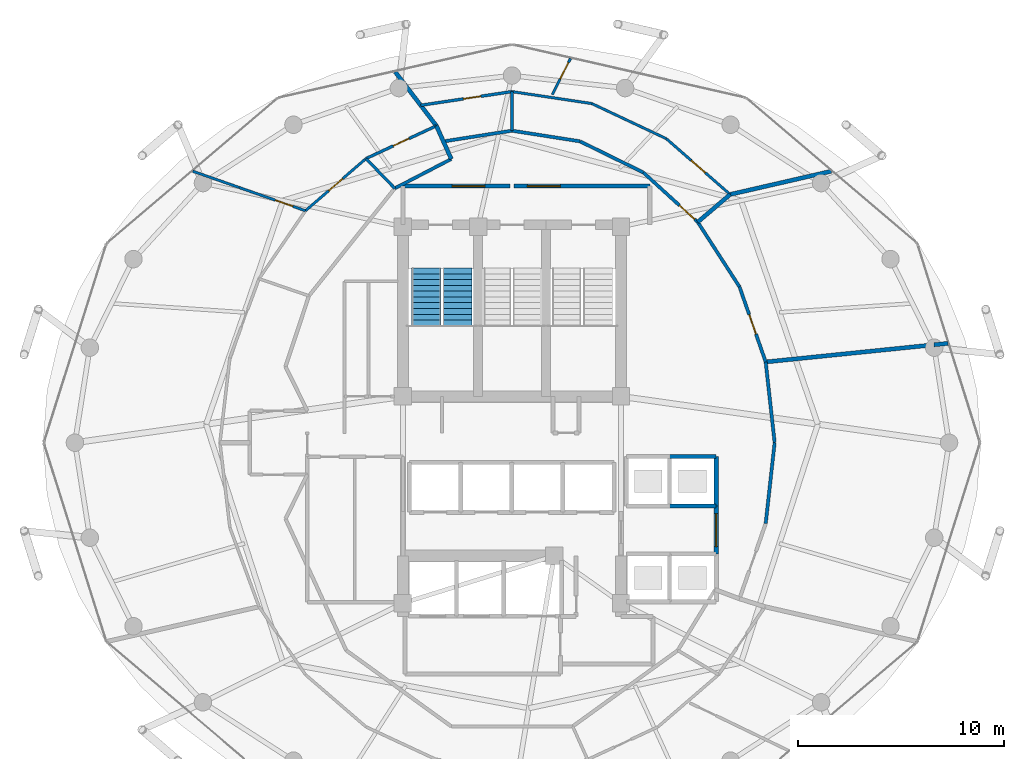
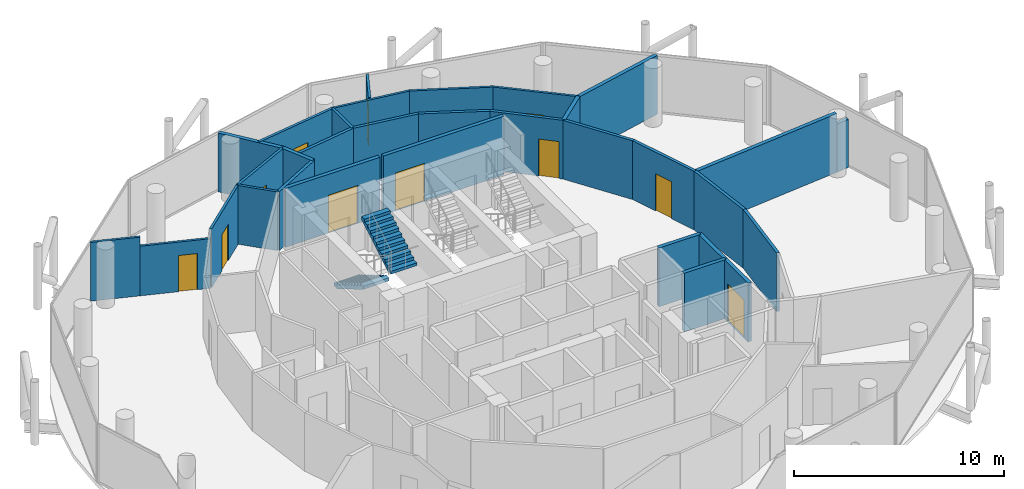
# One storey, part 25 of 27: 32 walls, 11 doors, 2 stair flights, 11 openings, 1 element without a shape of its own.
"""IFC4 building model written with IfcOpenShell, lengths in metres."""

from ifc_helpers import new_model, si_unit, direction, frame, frame_2d, origin, place, context, subcontext, project, spatial, polyline, rectangle, outline, extrude, material, layer, layer_set, type_object, element, fill, aggregate, save


model = new_model("IFC4")

# Units and contexts
model_context = context("Model", 3, precision=1e-05, world=origin(), true_north=direction((0.0, 1.0)))
body_context = subcontext(model_context, "Body", "Model", "MODEL_VIEW")
ifc_project = project(units=[si_unit("LENGTHUNIT", "METRE"), si_unit("AREAUNIT", "SQUARE_METRE"), si_unit("VOLUMEUNIT", "CUBIC_METRE"), si_unit("PLANEANGLEUNIT", "RADIAN"), si_unit("MASSUNIT", "GRAM", prefix="KILO")], contexts=[model_context])

# Site, building, storey
site_placement = place(None, origin())
site = spatial("IfcSite", under=ifc_project, at=site_placement, CompositionType="ELEMENT")
building_placement = place(site_placement, origin())
building = spatial("IfcBuilding", under=site, at=building_placement, Name="Nuhasar Tower", CompositionType="ELEMENT")
storey_placement = place(building_placement, frame((0.0, 0.0, 208.14990234375)))
storey = spatial("IfcBuildingStorey", under=building, at=storey_placement, Name="L50", CompositionType="ELEMENT", Elevation=208.14990234375)

# Walls
ifc_material_1 = material(Name="Gypsum Board", Category="gypsum")
ifc_layer_1 = layer(ifc_material_1, 0.159912109375)
ifc_layer_set_1 = layer_set([ifc_layer_1], Name="Gypsum Board")
wall_type_1 = type_object("IfcWallType", Name="WL-CORR-160", PredefinedType="PARTITIONING", material=ifc_layer_set_1)
for number, where, z_axis, x_axis, name in (
    (1, (51.3349609375, 22.8740234375, 0.0), (0.0, 0.0, 1.0), (0.110139823093, 0.993916102782, 0.0), "L50 Interior Partition CORR-46"),
    (2, (51.77001953125, 26.800048828125, 0.0), (0.0, 0.0, 1.0), (-0.110139823093, 0.993916102782, 0.0), "L50 Interior Partition CORR-00"),
):
    element("IfcWall", number, at=place(storey_placement, frame(where, z_axis=z_axis, x_axis=x_axis)), inside=storey, type_object=wall_type_1, Name=name, PredefinedType="PARTITIONING", context=body_context, shape_type="SweptSolid", body=[
        extrude(rectangle(XDim=3.949951171875, YDim=0.159912109375, at=frame_2d((1.97509765625, 0.0))), origin(), (0.0, 0.0, 1.0), 3.41015625),
    ])

# Wall, opening, door
wall_1_placement = place(storey_placement, frame((50.05908203125, 34.385009765625, 0.0), z_axis=(0.0, 0.0, 1.0), x_axis=(0.32925850992, -0.944239817867, 0.0)))
wall_1 = element("IfcWall", 3, at=wall_1_placement, inside=storey, type_object=wall_type_1, Name="L50 Interior Partition CORR-02", PredefinedType="PARTITIONING", context=body_context, shape_type="SweptSolid", body=[
    extrude(rectangle(XDim=3.875, YDim=0.159912109375, at=frame_2d((1.9375, 0.0))), origin(), (0.0, 0.0, 1.0), 3.41015625),
])
opening_1_placement = place(wall_1_placement, frame((1.43798828125, 0.0, 0.0)))
opening_1 = element("IfcOpeningElement", 4, at=opening_1_placement, cuts=wall_1, Name="Opening DU-02", PredefinedType="OPENING", context=body_context, shape_type="SweptSolid", body=[
    extrude(rectangle(XDim=1.0, YDim=2.14990234375, at=frame_2d((0.5, 1.074951171875))), frame((0.0, 0.08984375, 0.0), z_axis=(0.0, -1.0, 0.0), x_axis=(1.0, 0.0, 0.0)), (0.0, 0.0, 1.0), 0.179931640625),
])
ifc_material_2 = material(Name="Timber Oak", Category="wood")
door_type_1 = type_object("IfcDoorType", Name="DR-FLAT-FD60-1000", OperationType="NOTDEFINED", PredefinedType="DOOR", material=ifc_material_2)
door_1_placement = place(opening_1_placement, origin())
door_1 = element("IfcDoor", 5, at=door_1_placement, inside=storey, type_object=door_type_1, Name="L50 Sky Yoga Wellness Studio Entrance Door", OperationType="SINGLE_SWING_RIGHT", OverallHeight=2.14990234375, OverallWidth=1.0, PredefinedType="DOOR", context=body_context, shape_type="SweptSolid", body=[
    extrude(rectangle(XDim=1.0, YDim=2.14990234375, at=frame_2d((0.5, 1.074951171875))), frame((0.0, 0.02490234375, 0.0), z_axis=(0.0, -1.0, 0.0), x_axis=(1.0, 0.0, 0.0)), (0.0, 0.0, 1.0), 0.050048828125),
])
fill(opening_1, door_1)

# Wall
wall_2_placement = place(storey_placement, frame((50.05908203125, 34.385009765625, 0.0), z_axis=(0.0, 0.0, 1.0), x_axis=(-0.542485127432, 0.840065406094, 0.0)))
element("IfcWall", 6, at=wall_2_placement, inside=storey, type_object=wall_type_1, Name="L50 Interior Partition CORR-04", PredefinedType="PARTITIONING", context=body_context, shape_type="SweptSolid", body=[
    extrude(rectangle(XDim=3.740234375, YDim=0.159912109375, at=frame_2d((1.8701171875, 0.0))), origin(), (0.0, 0.0, 1.0), 3.41015625),
])

# Wall, opening, door
wall_3_placement = place(storey_placement, frame((45.385009765625, 39.93798828125, 0.0), z_axis=(0.0, 0.0, 1.0), x_axis=(0.739059723008, -0.673639908132, 0.0)))
wall_3 = element("IfcWall", 7, at=wall_3_placement, inside=storey, type_object=wall_type_1, Name="L50 Interior Partition CORR-06", PredefinedType="PARTITIONING", context=body_context, shape_type="SweptSolid", body=[
    extrude(rectangle(XDim=3.578857421875, YDim=0.159912109375, at=frame_2d((1.78955078125, 0.0))), origin(), (0.0, 0.0, 1.0), 3.41015625),
])
opening_2_placement = place(wall_3_placement, frame((2.37890625, 0.0, 0.0)))
opening_2 = element("IfcOpeningElement", 8, at=opening_2_placement, cuts=wall_3, Name="Opening DU-02", PredefinedType="OPENING", context=body_context, shape_type="SweptSolid", body=[
    extrude(rectangle(XDim=1.0, YDim=2.14990234375, at=frame_2d((0.5, 1.074951171875))), frame((0.0, 0.08984375, 0.0), z_axis=(0.0, -1.0, 0.0), x_axis=(1.0, 0.0, 0.0)), (0.0, 0.0, 1.0), 0.179931640625),
])
door_2_placement = place(opening_2_placement, origin())
door_2 = element("IfcDoor", 9, at=door_2_placement, inside=storey, type_object=door_type_1, Name="L50 Two-Bed Apartment 01 Entrance Door", OperationType="SINGLE_SWING_RIGHT", OverallHeight=2.14990234375, OverallWidth=1.0, PredefinedType="DOOR", context=body_context, shape_type="SweptSolid", body=[
    extrude(rectangle(XDim=1.0, YDim=2.14990234375, at=frame_2d((0.5, 1.074951171875))), frame((0.0, 0.02490234375, 0.0), z_axis=(0.0, -1.0, 0.0), x_axis=(1.0, 0.0, 0.0)), (0.0, 0.0, 1.0), 0.050048828125),
])
fill(opening_2, door_2)

# Walls
wall_4_placement = place(storey_placement, frame((45.385009765625, 39.93798828125, 0.0), z_axis=(0.0, 0.0, 1.0), x_axis=(-0.897338421719, 0.441343128311, 0.0)))
element("IfcWall", 10, at=wall_4_placement, inside=storey, type_object=wall_type_1, Name="L50 Interior Partition CORR-08", PredefinedType="PARTITIONING", context=body_context, shape_type="SweptSolid", body=[
    extrude(rectangle(XDim=3.432373046875, YDim=0.159912109375, at=frame_2d((1.71630859375, 0.0))), origin(), (0.0, 0.0, 1.0), 3.41015625),
])
wall_5_placement = place(storey_placement, frame((42.304931640625, 41.452880859375, 0.0), z_axis=(0.0, 0.0, 1.0), x_axis=(-0.987980356559, 0.154579478111, 0.0)))
element("IfcWall", 11, at=wall_5_placement, inside=storey, type_object=wall_type_1, Name="L50 Interior Partition CORR-10", PredefinedType="PARTITIONING", context=body_context, shape_type="SweptSolid", body=[
    extrude(rectangle(XDim=3.34521484375, YDim=0.159912109375, at=frame_2d((1.672607421875, 0.0))), origin(), (0.0, 0.0, 1.0), 3.41015625),
])
wall_6_placement = place(storey_placement, frame((39.0, 41.969970703125, 0.0), z_axis=(0.0, 0.0, 1.0), x_axis=(-0.987972011059, -0.154632808173, 0.0)))
element("IfcWall", 12, at=wall_6_placement, inside=storey, type_object=wall_type_1, Name="L50 Interior Partition CORR-12", PredefinedType="PARTITIONING", context=body_context, shape_type="SweptSolid", body=[
    extrude(rectangle(XDim=3.37548828125, YDim=0.159912109375, at=frame_2d((1.687744140625, 0.0))), origin(), (0.0, 0.0, 1.0), 3.41015625),
])
wall_7_placement = place(storey_placement, frame((36.049072265625, 40.593017578125, 0.0), z_axis=(0.0, 0.0, 1.0), x_axis=(-0.887674575788, -0.460471331898, 0.0)))
element("IfcWall", 13, at=wall_7_placement, inside=storey, type_object=wall_type_1, Name="L50 Interior Partition UWEST-CORE-N1-14", PredefinedType="PARTITIONING", context=body_context, shape_type="SweptSolid", body=[
    extrude(rectangle(XDim=3.096923828125, YDim=0.159912109375, at=frame_2d((1.54833984375, 0.0))), origin(), (0.0, 0.0, 1.0), 3.41015625),
])

# Wall, opening, door
ifc_material_3 = material(Name="Concrete C45/55", Category="concrete")
ifc_layer_2 = layer(ifc_material_3, 0.199951171875)
ifc_layer_set_2 = layer_set([ifc_layer_2], Name="Concrete C45/55")
wall_type_2 = type_object("IfcWallType", Name="WL-LOBBY-200", PredefinedType="SOLIDWALL", material=ifc_layer_set_2)
wall_8_placement = place(storey_placement, frame((38.89990234375, 39.280029296875, 0.0), z_axis=(0.0, 0.0, 1.0), x_axis=(-1.0, 0.0, 0.0)))
wall_8 = element("IfcWall", 14, at=wall_8_placement, inside=storey, type_object=wall_type_2, Name="L50 Interior Partition NSL-N1", PredefinedType="SOLIDWALL", context=body_context, shape_type="SweptSolid", body=[
    extrude(rectangle(XDim=5.199951171875, YDim=0.199951171875, at=frame_2d((2.60009765625, 0.0))), origin(), (0.0, 0.0, 1.0), 3.41015625),
])
opening_3_placement = place(wall_8_placement, frame((1.216064453125, 0.0, 0.0)))
opening_3 = element("IfcOpeningElement", 15, at=opening_3_placement, cuts=wall_8, Name="Opening DC-01", PredefinedType="OPENING", context=body_context, shape_type="SweptSolid", body=[
    extrude(rectangle(XDim=1.60009765625, YDim=2.199951171875, at=frame_2d((0.800048828125, 1.10009765625))), frame((0.0, 0.10986328125, 0.0), z_axis=(0.0, -1.0, 0.0), x_axis=(1.0, 0.0, 0.0)), (0.0, 0.0, 1.0), 0.219970703125),
])
ifc_material_4 = material(Name="Steel S355", Category="steel")
door_type_2 = type_object("IfcDoorType", Name="DR-CORR-FD60-1600", OperationType="DOUBLE_DOOR_SINGLE_SWING", PredefinedType="DOOR", material=ifc_material_4)
door_3_placement = place(opening_3_placement, origin())
door_3 = element("IfcDoor", 16, at=door_3_placement, inside=storey, type_object=door_type_2, Name="L50 North Stair Lobby West Door", OperationType="DOUBLE_DOOR_SINGLE_SWING", OverallHeight=2.199951171875, OverallWidth=1.60009765625, PredefinedType="DOOR", context=body_context, shape_type="SweptSolid", body=[
    extrude(rectangle(XDim=1.60009765625, YDim=2.199951171875, at=frame_2d((0.800048828125, 1.10009765625))), frame((0.0, 0.02490234375, 0.0), z_axis=(0.0, -1.0, 0.0), x_axis=(1.0, 0.0, 0.0)), (0.0, 0.0, 1.0), 0.050048828125),
])
fill(opening_3, door_3)

wall_9_placement = place(storey_placement, frame((45.699951171875, 39.280029296875, 0.0), z_axis=(0.0, 0.0, 1.0), x_axis=(-1.0, 0.0, 0.0)))
wall_9 = element("IfcWall", 17, at=wall_9_placement, inside=storey, type_object=wall_type_2, Name="L50 Interior Partition NSL-N2", PredefinedType="SOLIDWALL", context=body_context, shape_type="SweptSolid", body=[
    extrude(rectangle(XDim=6.599853515625, YDim=0.199951171875, at=frame_2d((3.2998046875, 0.0))), origin(), (0.0, 0.0, 1.0), 3.41015625),
])
opening_4_placement = place(wall_9_placement, frame((4.35009765625, 0.0, 0.0)))
opening_4 = element("IfcOpeningElement", 18, at=opening_4_placement, cuts=wall_9, Name="Opening DC-01", PredefinedType="OPENING", context=body_context, shape_type="SweptSolid", body=[
    extrude(rectangle(XDim=1.60009765625, YDim=2.199951171875, at=frame_2d((0.800048828125, 1.10009765625))), frame((0.0, 0.10986328125, 0.0), z_axis=(0.0, -1.0, 0.0), x_axis=(1.0, 0.0, 0.0)), (0.0, 0.0, 1.0), 0.219970703125),
])
door_4_placement = place(opening_4_placement, origin())
door_4 = element("IfcDoor", 19, at=door_4_placement, inside=storey, type_object=door_type_2, Name="L50 North Stair Lobby East Door", OperationType="DOUBLE_DOOR_SINGLE_SWING", OverallHeight=2.199951171875, OverallWidth=1.60009765625, PredefinedType="DOOR", context=body_context, shape_type="SweptSolid", body=[
    extrude(rectangle(XDim=1.60009765625, YDim=2.199951171875, at=frame_2d((0.800048828125, 1.10009765625))), frame((0.0, 0.02490234375, 0.0), z_axis=(0.0, -1.0, 0.0), x_axis=(1.0, 0.0, 0.0)), (0.0, 0.0, 1.0), 0.050048828125),
])
fill(opening_4, door_4)

wall_10_placement = place(storey_placement, frame((48.929931640625, 21.3798828125, 0.0), z_axis=(0.0, 0.0, 1.0), x_axis=(0.0, 1.0, 0.0)))
wall_10 = element("IfcWall", 20, at=wall_10_placement, inside=storey, type_object=wall_type_2, Name="L50 Interior Partition LLBM-E", PredefinedType="SOLIDWALL", context=body_context, shape_type="SweptSolid", body=[
    extrude(rectangle(XDim=2.340087890625, YDim=0.199951171875, at=frame_2d((1.169921875, 0.0))), origin(), (0.0, 0.0, 1.0), 3.41015625),
])
opening_5_placement = place(wall_10_placement, frame((0.3701171875, 0.0, 0.0)))
opening_5 = element("IfcOpeningElement", 21, at=opening_5_placement, cuts=wall_10, Name="Opening DC-01", PredefinedType="OPENING", context=body_context, shape_type="SweptSolid", body=[
    extrude(rectangle(XDim=1.60009765625, YDim=2.199951171875, at=frame_2d((0.800048828125, 1.10009765625))), frame((0.0, 0.10986328125, 0.0), z_axis=(0.0, -1.0, 0.0), x_axis=(1.0, 0.0, 0.0)), (0.0, 0.0, 1.0), 0.219970703125),
])
door_5_placement = place(opening_5_placement, origin())
door_5 = element("IfcDoor", 22, at=door_5_placement, inside=storey, type_object=door_type_2, Name="L50 Mid-Rise Lift Lobby East Entry", OperationType="DOUBLE_DOOR_SINGLE_SWING", OverallHeight=2.199951171875, OverallWidth=1.60009765625, PredefinedType="DOOR", context=body_context, shape_type="SweptSolid", body=[
    extrude(rectangle(XDim=1.60009765625, YDim=2.199951171875, at=frame_2d((0.800048828125, 1.10009765625))), frame((0.0, 0.02490234375, 0.0), z_axis=(0.0, -1.0, 0.0), x_axis=(1.0, 0.0, 0.0)), (0.0, 0.0, 1.0), 0.050048828125),
])
fill(opening_5, door_5)

ifc_layer_3 = layer(ifc_material_1, 0.125)
ifc_layer_set_3 = layer_set([ifc_layer_3], Name="Gypsum Board")
wall_type_3 = type_object("IfcWallType", Name="WL-PART-125", PredefinedType="PARTITIONING", material=ifc_layer_set_3)
wall_11_placement = place(storey_placement, frame((46.5, 41.5830078125, 0.0), z_axis=(0.0, 0.0, 1.0), x_axis=(0.753258291351, -0.657724825828, 0.0)))
wall_11 = element("IfcWall", 23, at=wall_11_placement, inside=storey, type_object=wall_type_3, Name="L50 Interior Partition UMID-03-A-06", PredefinedType="PARTITIONING", context=body_context, shape_type="SweptSolid", body=[
    extrude(rectangle(XDim=4.124755859375, YDim=0.125, at=frame_2d((2.0625, 0.0))), origin(), (0.0, 0.0, 1.0), 3.41015625),
])
opening_6_placement = place(wall_11_placement, frame((1.612060546875, 0.0, 0.0)))
opening_6 = element("IfcOpeningElement", 24, at=opening_6_placement, cuts=wall_11, Name="Opening DR-01", PredefinedType="OPENING", context=body_context, shape_type="SweptSolid", body=[
    extrude(rectangle(XDim=0.89990234375, YDim=2.10009765625, at=frame_2d((0.449951171875, 1.050048828125))), frame((0.0, 0.072509765625, 0.0), z_axis=(0.0, -1.0, 0.0), x_axis=(1.0, 0.0, 0.0)), (0.0, 0.0, 1.0), 0.14501953125),
])
door_type_3 = type_object("IfcDoorType", Name="DR-ROOM-900", OperationType="NOTDEFINED", PredefinedType="DOOR", material=ifc_material_2)
door_6_placement = place(opening_6_placement, origin())
door_6 = element("IfcDoor", 25, at=door_6_placement, inside=storey, type_object=door_type_3, Name="L50 U03 Living Door", OperationType="SINGLE_SWING_RIGHT", OverallHeight=2.10009765625, OverallWidth=0.89990234375, PredefinedType="DOOR", context=body_context, shape_type="SweptSolid", body=[
    extrude(rectangle(XDim=0.89990234375, YDim=2.10009765625, at=frame_2d((0.449951171875, 1.050048828125))), frame((0.0, 0.02490234375, 0.0), z_axis=(0.0, -1.0, 0.0), x_axis=(1.0, 0.0, 0.0)), (0.0, 0.0, 1.0), 0.050048828125),
])
fill(opening_6, door_6)

# Walls
wall_12_placement = place(storey_placement, frame((46.5, 41.5830078125, 0.0), z_axis=(0.0, 0.0, 1.0), x_axis=(-0.904575079673, 0.426314350256, 0.0)))
element("IfcWall", 26, at=wall_12_placement, inside=storey, type_object=wall_type_3, Name="L50 Interior Partition UMID-03-A-08", PredefinedType="PARTITIONING", context=body_context, shape_type="SweptSolid", body=[
    extrude(rectangle(XDim=3.99951171875, YDim=0.125, at=frame_2d((1.999755859375, 0.0))), origin(), (0.0, 0.0, 1.0), 3.41015625),
])
wall_13_placement = place(storey_placement, frame((42.882080078125, 43.2880859375, 0.0), z_axis=(0.0, 0.0, 1.0), x_axis=(-0.988946842781, 0.148270503314, 0.0)))
element("IfcWall", 27, at=wall_13_placement, inside=storey, type_object=wall_type_3, Name="L50 Interior Partition UMID-03-A-10", PredefinedType="PARTITIONING", context=body_context, shape_type="SweptSolid", body=[
    extrude(rectangle(XDim=3.925537109375, YDim=0.125, at=frame_2d((1.962890625, 0.0))), origin(), (0.0, 0.0, 1.0), 3.41015625),
])

# Wall, opening, door
wall_14_placement = place(storey_placement, frame((40.9580078125, 43.72412109375, 0.0), z_axis=(0.0, 0.0, 1.0), x_axis=(0.449698449796, 0.893180443276, 0.0)))
wall_14 = element("IfcWall", 28, at=wall_14_placement, inside=storey, type_object=wall_type_3, Name="L50 Interior Partition UOUT-03-B1", PredefinedType="PARTITIONING", context=body_context, shape_type="SweptSolid", body=[
    extrude(rectangle(XDim=1.963623046875, YDim=0.125, at=frame_2d((0.98193359375, 0.0))), origin(), (0.0, 0.0, 1.0), 3.41015625),
])
opening_7_placement = place(wall_14_placement, frame((0.85009765625, 0.0, 0.0)))
opening_7 = element("IfcOpeningElement", 29, at=opening_7_placement, cuts=wall_14, Name="Opening DR-01", PredefinedType="OPENING", context=body_context, shape_type="SweptSolid", body=[
    extrude(rectangle(XDim=0.89990234375, YDim=2.10009765625, at=frame_2d((0.449951171875, 1.050048828125))), frame((0.0, 0.072509765625, 0.0), z_axis=(0.0, -1.0, 0.0), x_axis=(1.0, 0.0, 0.0)), (0.0, 0.0, 1.0), 0.14501953125),
])
door_7_placement = place(opening_7_placement, origin())
door_7 = element("IfcDoor", 30, at=door_7_placement, inside=storey, type_object=door_type_3, Name="L50 U03 Bedroom Door", OperationType="SINGLE_SWING_RIGHT", OverallHeight=2.10009765625, OverallWidth=0.89990234375, PredefinedType="DOOR", context=body_context, shape_type="SweptSolid", body=[
    extrude(rectangle(XDim=0.89990234375, YDim=2.10009765625, at=frame_2d((0.449951171875, 1.050048828125))), frame((0.0, 0.02490234375, 0.0), z_axis=(0.0, -1.0, 0.0), x_axis=(1.0, 0.0, 0.0)), (0.0, 0.0, 1.0), 0.050048828125),
])
fill(opening_7, door_7)

wall_15_placement = place(storey_placement, frame((28.958984375, 38.077880859375, 0.0), z_axis=(0.0, 0.0, 1.0), x_axis=(0.757424973134, 0.652922208286, 0.0)))
wall_15 = element("IfcWall", 31, at=wall_15_placement, inside=storey, type_object=wall_type_3, Name="L50 Interior Partition USM-1-K-16", PredefinedType="PARTITIONING", context=body_context, shape_type="SweptSolid", body=[
    extrude(rectangle(XDim=3.8828125, YDim=0.125, at=frame_2d((1.94140625, 0.0))), origin(), (0.0, 0.0, 1.0), 3.41015625),
])
opening_8_placement = place(wall_15_placement, frame((1.490966796875, 0.0, 0.0)))
opening_8 = element("IfcOpeningElement", 32, at=opening_8_placement, cuts=wall_15, Name="Opening DR-01", PredefinedType="OPENING", context=body_context, shape_type="SweptSolid", body=[
    extrude(rectangle(XDim=0.89990234375, YDim=2.10009765625, at=frame_2d((0.449951171875, 1.050048828125))), frame((0.0, 0.072509765625, 0.0), z_axis=(0.0, -1.0, 0.0), x_axis=(1.0, 0.0, 0.0)), (0.0, 0.0, 1.0), 0.14501953125),
])
door_8_placement = place(opening_8_placement, origin())
door_8 = element("IfcDoor", 33, at=door_8_placement, inside=storey, type_object=door_type_3, Name="L50 North-West Sky Home Kitchen Door", OperationType="SINGLE_SWING_RIGHT", OverallHeight=2.10009765625, OverallWidth=0.89990234375, PredefinedType="DOOR", context=body_context, shape_type="SweptSolid", body=[
    extrude(rectangle(XDim=0.89990234375, YDim=2.10009765625, at=frame_2d((0.449951171875, 1.050048828125))), frame((0.0, 0.02490234375, 0.0), z_axis=(0.0, -1.0, 0.0), x_axis=(1.0, 0.0, 0.0)), (0.0, 0.0, 1.0), 0.050048828125),
])
fill(opening_8, door_8)

wall_16_placement = place(storey_placement, frame((28.958984375, 38.077880859375, 0.0), z_axis=(0.0, 0.0, 1.0), x_axis=(-0.943735775688, 0.33070044706, 0.0)))
wall_16 = element("IfcWall", 34, at=wall_16_placement, inside=storey, type_object=wall_type_3, Name="L50 Interior Partition USO-1-BD", PredefinedType="PARTITIONING", context=body_context, shape_type="SweptSolid", body=[
    extrude(rectangle(XDim=3.41748046875, YDim=0.125, at=frame_2d((1.708740234375, 0.0))), origin(), (0.0, 0.0, 1.0), 2.880126953125),
])
opening_9_placement = place(wall_16_placement, frame((0.64990234375, 0.0, 0.0)))
opening_9 = element("IfcOpeningElement", 35, at=opening_9_placement, cuts=wall_16, Name="Opening DR-01", PredefinedType="OPENING", context=body_context, shape_type="SweptSolid", body=[
    extrude(rectangle(XDim=0.89990234375, YDim=2.10009765625, at=frame_2d((0.449951171875, 1.050048828125))), frame((0.0, 0.072509765625, 0.0), z_axis=(0.0, -1.0, 0.0), x_axis=(1.0, 0.0, 0.0)), (0.0, 0.0, 1.0), 0.14501953125),
])
door_9_placement = place(opening_9_placement, origin())
door_9 = element("IfcDoor", 36, at=door_9_placement, inside=storey, type_object=door_type_3, Name="L50 North-West Sky Home Master Bedroom Door", OperationType="SINGLE_SWING_LEFT", OverallHeight=2.10009765625, OverallWidth=0.89990234375, PredefinedType="DOOR", context=body_context, shape_type="SweptSolid", body=[
    extrude(rectangle(XDim=0.89990234375, YDim=2.10009765625, at=frame_2d((0.449951171875, 1.050048828125))), frame((0.0, 0.02490234375, 0.0), z_axis=(0.0, -1.0, 0.0), x_axis=(1.0, 0.0, 0.0)), (0.0, 0.0, 1.0), 0.050048828125),
])
fill(opening_9, door_9)

# Walls
wall_17_placement = place(storey_placement, frame((25.73388671875, 39.2080078125, 0.0), z_axis=(0.0, 0.0, 1.0), x_axis=(-0.943622379066, 0.331023874857, 0.0)))
element("IfcWall", 37, at=wall_17_placement, inside=storey, type_object=wall_type_3, Name="L50 Interior Partition USO-1-BD", PredefinedType="PARTITIONING", context=body_context, shape_type="SweptSolid", body=[
    extrude(rectangle(XDim=2.3896484375, YDim=0.125, at=frame_2d((1.19482421875, 0.0))), origin(), (0.0, 0.0, 1.0), 3.41015625),
])
ifc_layer_4 = layer(ifc_material_3, 0.199951171875)
ifc_layer_set_4 = layer_set([ifc_layer_4], Name="Concrete C45/55")
wall_type_4 = type_object("IfcWallType", Name="WL-SHAFT-200", PredefinedType="SOLIDWALL", material=ifc_layer_set_4)
for number, where, z_axis, x_axis, name in (
    (38, (46.6201171875, 23.719970703125, 0.0), (0.0, 0.0, 1.0), (1.0, 0.0, 0.0), "L50 Interior Partition SHF-PL-M02-S"),
    (39, (46.6201171875, 26.1298828125, 0.0), (0.0, 0.0, 1.0), (1.0, 0.0, 0.0), "L50 Interior Partition SHF-PL-M02-N"),
):
    element("IfcWall", number, at=place(storey_placement, frame(where, z_axis=z_axis, x_axis=x_axis)), inside=storey, type_object=wall_type_4, Name=name, PredefinedType="SOLIDWALL", context=body_context, shape_type="SweptSolid", body=[
        extrude(rectangle(XDim=2.309814453125, YDim=0.199951171875, at=frame_2d((1.15478515625, 0.0))), origin(), (0.0, 0.0, 1.0), 3.41015625),
    ])
wall_18_placement = place(storey_placement, frame((48.929931640625, 23.719970703125, 0.0), z_axis=(0.0, 0.0, 1.0), x_axis=(0.0, 1.0, 0.0)))
element("IfcWall", 40, at=wall_18_placement, inside=storey, type_object=wall_type_4, Name="L50 Interior Partition SHF-PL-M02-E", PredefinedType="SOLIDWALL", context=body_context, shape_type="SweptSolid", body=[
    extrude(rectangle(XDim=2.409912109375, YDim=0.199951171875, at=frame_2d((1.205078125, 0.0))), origin(), (0.0, 0.0, 1.0), 3.41015625),
])
ifc_material_5 = material(Name="Concrete C40/50 precast", Category="concrete")
ifc_layer_5 = layer(ifc_material_5, 0.199951171875)
ifc_layer_set_5 = layer_set([ifc_layer_5], Name="Concrete C40/50 precast")
wall_type_5 = type_object("IfcWallType", Name="WL-UNIT-200", PredefinedType="PARTITIONING", material=ifc_layer_set_5)
wall_19_placement = place(storey_placement, frame((36.049072265625, 40.593017578125, 0.0), z_axis=(0.0, 0.0, 1.0), x_axis=(-0.409337233456, 0.912383159263, 0.0)))
element("IfcWall", 41, at=wall_19_placement, inside=storey, type_object=wall_type_5, Name="L50 Interior Partition URAD-14-NW-S1", PredefinedType="PARTITIONING", context=body_context, shape_type="SweptSolid", body=[
    extrude(rectangle(XDim=1.76904296875, YDim=0.199951171875, at=frame_2d((0.884521484375, 0.0))), origin(), (0.0, 0.0, 1.0), 3.41015625),
])
wall_20_placement = place(storey_placement, frame((35.324951171875, 42.20703125, 0.0), z_axis=(0.0, 0.0, 1.0), x_axis=(-0.607307427022, 0.794466921328, 0.0)))
element("IfcWall", 42, at=wall_20_placement, inside=storey, type_object=wall_type_5, Name="L50 Interior Partition URAD-14-NW-S2", PredefinedType="PARTITIONING", context=body_context, shape_type="SweptSolid", body=[
    extrude(rectangle(XDim=3.302978515625, YDim=0.199951171875, at=frame_2d((1.6513671875, 0.0))), origin(), (0.0, 0.0, 1.0), 3.41015625),
])
wall_21_placement = place(storey_placement, frame((51.3349609375, 30.72607421875, 0.0), z_axis=(0.0, 0.0, 1.0), x_axis=(0.994837199953, 0.101483720809, 0.0)))
element("IfcWall", 43, at=wall_21_placement, inside=storey, type_object=wall_type_5, Name="L50 Interior Partition URAD-02", PredefinedType="PARTITIONING", context=body_context, shape_type="SweptSolid", body=[
    extrude(rectangle(XDim=8.2275390625, YDim=0.199951171875, at=frame_2d((4.11376953125, 0.0))), origin(), (0.0, 0.0, 1.0), 3.41015625),
])
wall_22_placement = place(storey_placement, frame((59.52001953125, 31.56103515625, 0.0), z_axis=(0.0, 0.0, 1.0), x_axis=(0.994776809631, 0.102073987974, 0.0)))
element("IfcWall", 44, at=wall_22_placement, inside=storey, type_object=wall_type_5, Name="L50 Interior Partition URAD-02", PredefinedType="PARTITIONING", context=body_context, shape_type="SweptSolid", body=[
    extrude(rectangle(XDim=0.6865234375, YDim=0.199951171875, at=frame_2d((0.34326171875, 0.0))), origin(), (0.0, 0.0, 1.0), 2.795166015625),
])
wall_23_placement = place(storey_placement, frame((48.030029296875, 37.527099609375, 0.0), z_axis=(0.0, 0.0, 1.0), x_axis=(0.761307875953, 0.64839055978, 0.0)))
element("IfcWall", 45, at=wall_23_placement, inside=storey, type_object=wall_type_5, Name="L50 Interior Partition URAD-06-S1", PredefinedType="PARTITIONING", context=body_context, shape_type="SweptSolid", body=[
    extrude(rectangle(XDim=2.0712890625, YDim=0.199951171875, at=frame_2d((1.03564453125, 0.0))), origin(), (0.0, 0.0, 1.0), 3.41015625),
])
wall_24_placement = place(storey_placement, frame((49.60693359375, 38.8701171875, 0.0), z_axis=(0.0, 0.0, 1.0), x_axis=(0.974622401259, 0.223855254492, 0.0)))
element("IfcWall", 46, at=wall_24_placement, inside=storey, type_object=wall_type_5, Name="L50 Interior Partition URAD-06-S2", PredefinedType="PARTITIONING", context=body_context, shape_type="SweptSolid", body=[
    extrude(rectangle(XDim=5.04296875, YDim=0.199951171875, at=frame_2d((2.521484375, 0.0))), origin(), (0.0, 0.0, 1.0), 3.41015625),
])

# Wall, opening, door
ifc_layer_6 = layer(ifc_material_5, 0.139892578125)
ifc_layer_set_6 = layer_set([ifc_layer_6], Name="Concrete C40/50 precast")
wall_type_6 = type_object("IfcWallType", Name="WL-WET-140", PredefinedType="PARTITIONING", material=ifc_layer_set_6)
wall_25_placement = place(storey_placement, frame((34.56201171875, 43.205078125, 0.0), z_axis=(0.0, 0.0, 1.0), x_axis=(0.98895789125, 0.148196792593, 0.0)))
wall_25 = element("IfcWall", 47, at=wall_25_placement, inside=storey, type_object=wall_type_6, Name="L50 Interior Partition UMID-03-B-12", PredefinedType="PARTITIONING", context=body_context, shape_type="SweptSolid", body=[
    extrude(rectangle(XDim=4.487548828125, YDim=0.139892578125, at=frame_2d((2.24365234375, 0.0))), origin(), (0.0, 0.0, 1.0), 3.41015625),
])
opening_10_placement = place(wall_25_placement, frame((2.10009765625, 0.0, 0.0)))
opening_10 = element("IfcOpeningElement", 48, at=opening_10_placement, cuts=wall_25, Name="Opening DB-01", PredefinedType="OPENING", context=body_context, shape_type="SweptSolid", body=[
    extrude(rectangle(XDim=0.85009765625, YDim=2.10009765625, at=frame_2d((0.425048828125, 1.050048828125))), frame((0.0, 0.080078125, 0.0), z_axis=(0.0, -1.0, 0.0), x_axis=(1.0, 0.0, 0.0)), (0.0, 0.0, 1.0), 0.159912109375),
])
door_type_4 = type_object("IfcDoorType", Name="DR-BATH-850", OperationType="NOTDEFINED", PredefinedType="DOOR", material=ifc_material_2)
door_10_placement = place(opening_10_placement, origin())
door_10 = element("IfcDoor", 49, at=door_10_placement, inside=storey, type_object=door_type_4, Name="L50 U03 Bathroom Door", OperationType="SINGLE_SWING_RIGHT", OverallHeight=2.10009765625, OverallWidth=0.85009765625, PredefinedType="DOOR", context=body_context, shape_type="SweptSolid", body=[
    extrude(rectangle(XDim=0.85009765625, YDim=2.10009765625, at=frame_2d((0.425048828125, 1.050048828125))), frame((0.0, 0.02490234375, 0.0), z_axis=(0.0, -1.0, 0.0), x_axis=(1.0, 0.0, 0.0)), (0.0, 0.0, 1.0), 0.050048828125),
])
fill(opening_10, door_10)

# Walls
wall_26_placement = place(storey_placement, frame((39.0, 41.969970703125, 0.0), z_axis=(0.0, 0.0, 1.0), x_axis=(0.0, 1.0, 0.0)))
element("IfcWall", 50, at=wall_26_placement, inside=storey, type_object=wall_type_6, Name="L50 Interior Partition UIN-03-K", PredefinedType="PARTITIONING", context=body_context, shape_type="SweptSolid", body=[
    extrude(rectangle(XDim=1.900146484375, YDim=0.139892578125, at=frame_2d((0.9501953125, 0.0))), origin(), (0.0, 0.0, 1.0), 3.41015625),
])
wall_27_placement = place(storey_placement, frame((33.300048828125, 39.1669921875, 0.0), z_axis=(0.0, 0.0, 1.0), x_axis=(-0.695613346208, 0.718416364358, 0.0)))
element("IfcWall", 51, at=wall_27_placement, inside=storey, type_object=wall_type_6, Name="L50 Interior Partition USI-1-BK", PredefinedType="PARTITIONING", context=body_context, shape_type="SweptSolid", body=[
    extrude(rectangle(XDim=2.012939453125, YDim=0.139892578125, at=frame_2d((1.00634765625, 0.0))), origin(), (0.0, 0.0, 1.0), 3.41015625),
])

# Wall, opening, door
wall_28_placement = place(storey_placement, frame((31.89990234375, 40.613037109375, 0.0), z_axis=(0.0, 0.0, 1.0), x_axis=(0.906625113427, 0.421937085007, 0.0)))
wall_28 = element("IfcWall", 52, at=wall_28_placement, inside=storey, type_object=wall_type_6, Name="L50 Interior Partition USM-1-B-14", PredefinedType="PARTITIONING", context=body_context, shape_type="SweptSolid", body=[
    extrude(rectangle(XDim=3.77783203125, YDim=0.139892578125, at=frame_2d((1.888916015625, 0.0))), origin(), (0.0, 0.0, 1.0), 3.41015625),
])
opening_11_placement = place(wall_28_placement, frame((1.464111328125, 0.0, 0.0)))
opening_11 = element("IfcOpeningElement", 53, at=opening_11_placement, cuts=wall_28, Name="Opening DB-01", PredefinedType="OPENING", context=body_context, shape_type="SweptSolid", body=[
    extrude(rectangle(XDim=0.85009765625, YDim=2.10009765625, at=frame_2d((0.425048828125, 1.050048828125))), frame((0.0, 0.080078125, 0.0), z_axis=(0.0, -1.0, 0.0), x_axis=(1.0, 0.0, 0.0)), (0.0, 0.0, 1.0), 0.159912109375),
])
door_11_placement = place(opening_11_placement, origin())
door_11 = element("IfcDoor", 54, at=door_11_placement, inside=storey, type_object=door_type_4, Name="L50 North-West Sky Home En-Suite Door", OperationType="SINGLE_SWING_LEFT", OverallHeight=2.10009765625, OverallWidth=0.85009765625, PredefinedType="DOOR", context=body_context, shape_type="SweptSolid", body=[
    extrude(rectangle(XDim=0.85009765625, YDim=2.10009765625, at=frame_2d((0.425048828125, 1.050048828125))), frame((0.0, 0.02490234375, 0.0), z_axis=(0.0, -1.0, 0.0), x_axis=(1.0, 0.0, 0.0)), (0.0, 0.0, 1.0), 0.050048828125),
])
fill(opening_11, door_11)

# Stair, stair flights
stair_type = type_object("IfcStairType", Name="STR-ST-01-2F-22R-1659", PredefinedType="HALF_TURN_STAIR", material=ifc_material_3)
stair_placement = place(storey_placement, origin())
stair = element("IfcStair", 55, at=stair_placement, inside=storey, type_object=stair_type, Name="L50 Exit Stair ST-01", PredefinedType="HALF_TURN_STAIR")
stair_flight_type = type_object("IfcStairFlightType", Name="SFL-ST-01-11R-1659", PredefinedType="STRAIGHT", material=ifc_material_3)
stair_flight_1_placement = place(storey_placement, frame((34.830078125, 35.284912109375, 0.0), z_axis=(0.0, 0.0, 1.0), x_axis=(0.0, -1.0, 0.0)))
stair_flight_1 = element("IfcStairFlight", 56, at=stair_flight_1_placement, type_object=stair_flight_type, Name="ST-01 flight 1", NumberOfRisers=11, NumberOfTreads=10, PredefinedType="STRAIGHT", RiserHeight=0.165909, TreadLength=0.28, context=body_context, shape_type="SweptSolid", body=[
    extrude(outline(polyline([(0.0, 0.0), (0.0, 0.166015625), (0.280029296875, 0.166015625), (0.280029296875, 0.331787109375), (0.56005859375, 0.331787109375), (0.56005859375, 0.497802734375), (0.840087890625, 0.497802734375), (0.840087890625, 0.66357421875), (1.1201171875, 0.66357421875), (1.1201171875, 0.82958984375), (1.39990234375, 0.82958984375), (1.39990234375, 0.995361328125), (1.679931640625, 0.995361328125), (1.679931640625, 1.161376953125), (1.9599609375, 1.161376953125), (1.9599609375, 1.327392578125), (2.239990234375, 1.327392578125), (2.239990234375, 1.4931640625), (2.52001953125, 1.4931640625), (2.52001953125, 1.6591796875), (2.800048828125, 1.6591796875), (2.800048828125, 1.824951171875), (2.800048828125, 1.47314453125), (0.313720703125, 0.0), (0.0, 0.0)])), frame((0.0, 0.7099609375, 0.0), z_axis=(0.0, -1.0, 0.0), x_axis=(1.0, 0.0, 0.0)), (0.0, 0.0, 1.0), 1.419921875),
])
stair_flight_2_placement = place(storey_placement, frame((36.35009765625, 32.485107421875, 1.8251953125), z_axis=(0.0, 0.0, 1.0), x_axis=(0.0, 1.0, 0.0)))
stair_flight_2 = element("IfcStairFlight", 57, at=stair_flight_2_placement, type_object=stair_flight_type, Name="ST-01 flight 2", NumberOfRisers=11, NumberOfTreads=10, PredefinedType="STRAIGHT", RiserHeight=0.165909, TreadLength=0.28, context=body_context, shape_type="SweptSolid", body=[
    extrude(outline(polyline([(0.0, 0.0), (0.0, 0.166015625), (0.280029296875, 0.166015625), (0.280029296875, 0.331787109375), (0.56005859375, 0.331787109375), (0.56005859375, 0.497802734375), (0.840087890625, 0.497802734375), (0.840087890625, 0.66357421875), (1.1201171875, 0.66357421875), (1.1201171875, 0.82958984375), (1.39990234375, 0.82958984375), (1.39990234375, 0.995361328125), (1.679931640625, 0.995361328125), (1.679931640625, 1.161376953125), (1.9599609375, 1.161376953125), (1.9599609375, 1.327392578125), (2.239990234375, 1.327392578125), (2.239990234375, 1.4931640625), (2.52001953125, 1.4931640625), (2.52001953125, 1.6591796875), (2.800048828125, 1.6591796875), (2.800048828125, 1.824951171875), (2.800048828125, 1.47314453125), (0.313720703125, 0.0), (0.0, 0.0)])), frame((0.0, 0.7099609375, 0.0), z_axis=(0.0, -1.0, 0.0), x_axis=(1.0, 0.0, 0.0)), (0.0, 0.0, 1.0), 1.419921875),
])
aggregate(stair, [stair_flight_1, stair_flight_2])

save(model, "model.ifc")
